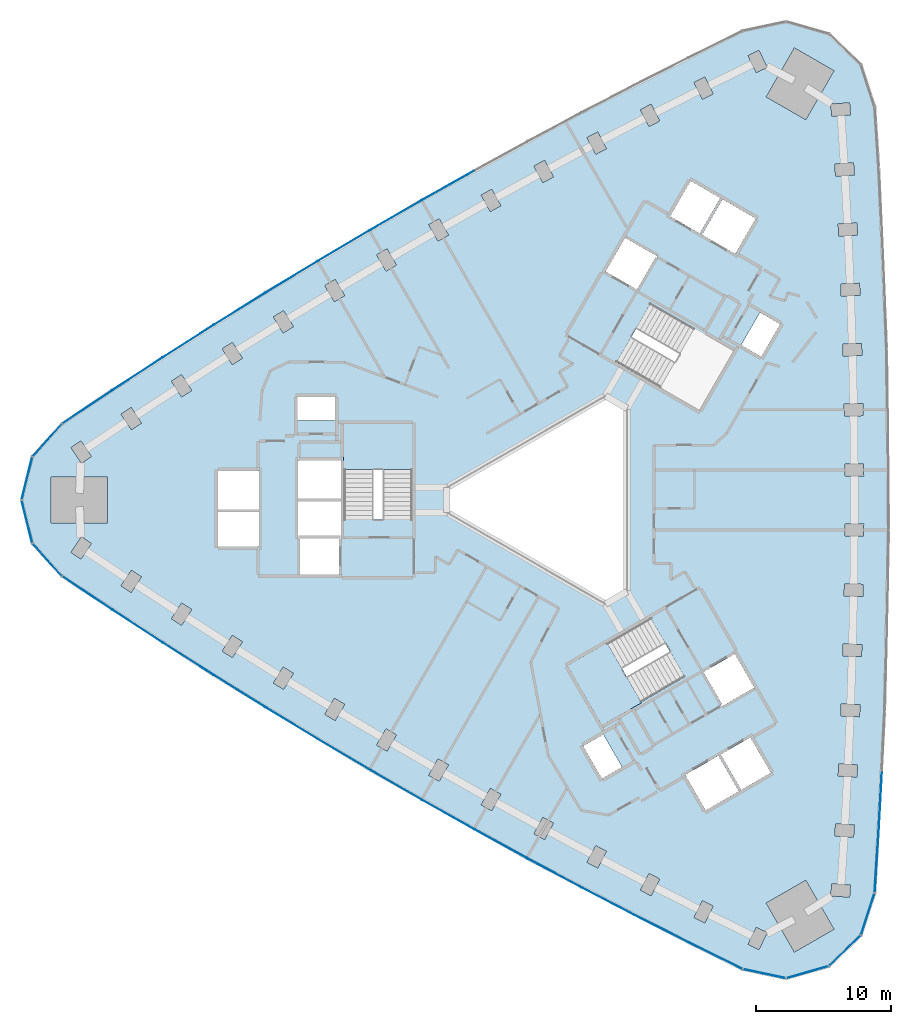
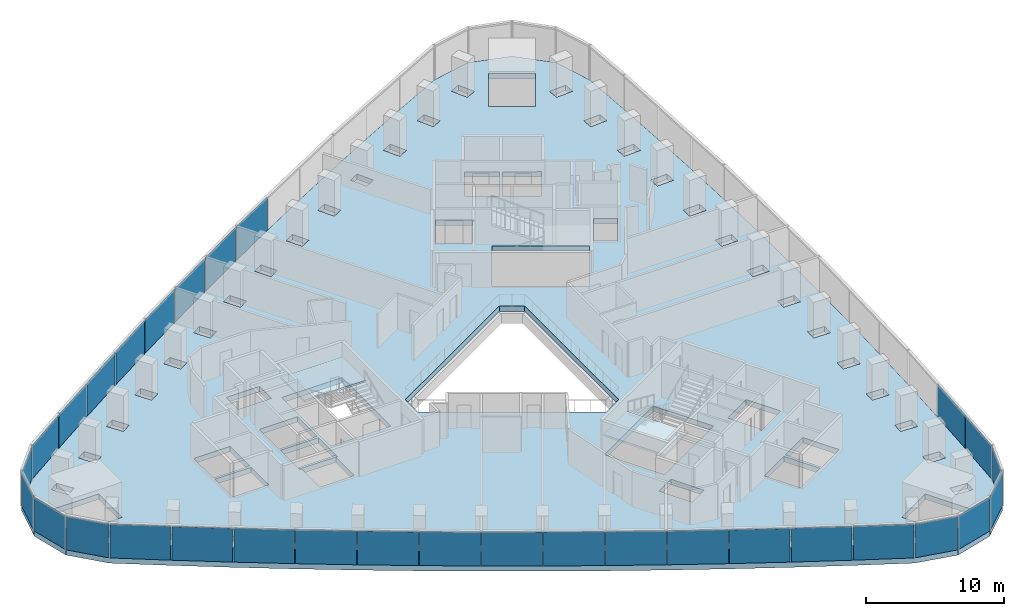
# One storey, part 7 of 13: 31 plates, 3 slabs, 5 elements without a shape of their own.
"""IFC4 building model written with IfcOpenShell, lengths in metres."""

from ifc_helpers import new_model, si_unit, direction, frame, origin, origin_2d, place, context, subcontext, project, spatial, polyline, rectangle, outline, extrude, material, layer, layer_set, type_object, element, aggregate, save


model = new_model("IFC4")

# Units and contexts
model_context = context("Model", 3, precision=1e-05, world=origin(), true_north=direction((0.0, 1.0)))
body_context = subcontext(model_context, "Body", "Model", "MODEL_VIEW")
ifc_project = project(units=[si_unit("LENGTHUNIT", "METRE"), si_unit("AREAUNIT", "SQUARE_METRE"), si_unit("VOLUMEUNIT", "CUBIC_METRE"), si_unit("PLANEANGLEUNIT", "RADIAN"), si_unit("MASSUNIT", "GRAM", prefix="KILO")], contexts=[model_context])

# Site, building, storey
site_placement = place(None, origin())
site = spatial("IfcSite", under=ifc_project, at=site_placement, CompositionType="ELEMENT")
building_placement = place(site_placement, origin())
building = spatial("IfcBuilding", under=site, at=building_placement, Name="Tamra Quay Hotel Tower", CompositionType="ELEMENT")
storey_placement = place(building_placement, frame((0.0, 0.0, 60.199951171875)))
storey = spatial("IfcBuildingStorey", under=building, at=storey_placement, Name="L13", CompositionType="ELEMENT", Elevation=60.199951171875)

# Stair, slab
ifc_material_1 = material(Name="Exit stair 2200 24 risers 150.0 going 342")
stair_type = type_object("IfcStairType", Name="Exit stair 2200 24 risers 150.0 going 342", PredefinedType="HALF_TURN_STAIR", material=ifc_material_1)
stair_1_placement = place(storey_placement, origin())
stair_1 = element("IfcStair", 1, at=stair_1_placement, inside=storey, type_object=stair_type, Name="L13 Exit stair ST3", PredefinedType="HALF_TURN_STAIR")
ifc_material_2 = material(Name="Concrete M70", Category="concrete")
ifc_layer_1 = layer(ifc_material_2, 0.175048828125)
ifc_layer_set_1 = layer_set([ifc_layer_1], Name="Concrete M70 stair landing 180")
slab_type_1 = type_object("IfcSlabType", Name="Concrete M70 stair landing 180", PredefinedType="LANDING", material=ifc_layer_set_1)
slab_1_placement = place(storey_placement, frame((0.0, 0.0, 1.625)))
slab_1 = element("IfcSlab", 2, at=slab_1_placement, type_object=slab_type_1, Name="ST3 landing 1", PredefinedType="LANDING", context=body_context, shape_type="SweptSolid", body=[
    extrude(outline(polyline([(-10.932373046875, 2.261962890625), (-10.932373046875, 5.679931640625), (-16.09130859375, 5.679931640625), (-16.09130859375, 2.261962890625), (-10.932373046875, 2.261962890625)])), origin(), (0.0, 0.0, 1.0), 0.175048828125),
])
aggregate(stair_1, [slab_1])

stair_2_placement = place(storey_placement, origin())
stair_2 = element("IfcStair", 3, at=stair_2_placement, inside=storey, type_object=stair_type, Name="L13 Exit stair ST2", PredefinedType="HALF_TURN_STAIR")
slab_2_placement = place(storey_placement, frame((0.0, 0.0, 1.625)))
slab_2 = element("IfcSlab", 4, at=slab_2_placement, type_object=slab_type_1, Name="ST2 landing 1", PredefinedType="LANDING", context=body_context, shape_type="SweptSolid", body=[
    extrude(outline(polyline([(3.50732421875, -10.5986328125), (0.547119140625, -12.3076171875), (3.126708984375, -16.775390625), (6.086669921875, -15.06640625), (3.50732421875, -10.5986328125)])), origin(), (0.0, 0.0, 1.0), 0.175048828125),
])
aggregate(stair_2, [slab_2])

# Slab
ifc_material_3 = material(Name="Concrete M60", Category="concrete")
ifc_layer_2 = layer(ifc_material_3, 0.47509765625)
ifc_layer_set_2 = layer_set([ifc_layer_2], Name="FLOOR SLAB PT 475")
slab_type_2 = type_object("IfcSlabType", Name="FLOOR SLAB PT 475", PredefinedType="FLOOR", material=ifc_layer_set_2)
slab_3_placement = place(storey_placement, frame((0.0, 0.0, -0.474853515625)))
element("IfcSlab", 5, at=slab_3_placement, inside=storey, type_object=slab_type_2, Name="SLAB-L13", PredefinedType="FLOOR", context=body_context, shape_type="SweptSolid", body=[
    extrude(outline(polyline([(23.699951171875, 24.723876953125), (23.943115234375, 20.231689453125), (24.137939453125, 15.738525390625), (24.283935546875, 11.24365234375), (24.38134765625, 6.74560546875), (24.43017578125, 2.248779296875), (24.43017578125, -2.248779296875), (24.38134765625, -6.74560546875), (24.283935546875, -11.24365234375), (24.137939453125, -15.738525390625), (23.943115234375, -20.231689453125), (23.699951171875, -24.723876953125), (23.40869140625, -29.210693359375), (22.386474609375, -32.356201171875), (20.00732421875, -34.65380859375), (16.828125, -35.5654296875), (13.593017578125, -34.877685546875), (9.5615234375, -32.88671875), (5.54931640625, -30.851318359375), (1.56103515625, -28.773193359375), (-2.40478515625, -26.65234375), (-6.3486328125, -24.48779296875), (-10.267578125, -22.281494140625), (-14.162353515625, -20.03271484375), (-18.03271484375, -17.741943359375), (-21.879150390625, -15.40869140625), (-25.698974609375, -13.034912109375), (-29.49267578125, -10.61962890625), (-33.261474609375, -8.162841796875), (-37.001708984375, -5.6669921875), (-39.214599609375, -3.208984375), (-40.0146484375, 0.0), (-39.214599609375, 3.208984375), (-37.001708984375, 5.6669921875), (-33.261474609375, 8.162841796875), (-29.49267578125, 10.61962890625), (-25.698974609375, 13.034912109375), (-21.879150390625, 15.40869140625), (-18.03271484375, 17.741943359375), (-14.162353515625, 20.03271484375), (-10.267578125, 22.281494140625), (-6.3486328125, 24.48779296875), (-2.40478515625, 26.65234375), (1.56103515625, 28.773193359375), (5.54931640625, 30.851318359375), (9.5615234375, 32.88671875), (13.593017578125, 34.877685546875), (16.828125, 35.5654296875), (20.00732421875, 34.65380859375), (22.386474609375, 32.356201171875), (23.40869140625, 29.210693359375), (23.699951171875, 24.723876953125)]), holes=[polyline([(-17.475830078125, -15.935791015625), (-16.70361328125, -16.39794921875), (-15.984375, -15.19677734375), (-16.756591796875, -14.734619140625), (-17.475830078125, -15.935791015625)]), polyline([(-20.56884765625, -12.416015625), (-21.3017578125, -13.60888671875), (-20.534912109375, -14.080078125), (-19.802001953125, -12.88720703125), (-20.56884765625, -12.416015625)]), polyline([(-24.357177734375, -10.05615234375), (-25.102294921875, -11.2412109375), (-24.340576171875, -11.72021484375), (-23.59521484375, -10.53515625), (-24.357177734375, -10.05615234375)]), polyline([(-28.11962890625, -7.6552734375), (-28.87744140625, -8.83251953125), (-28.12060546875, -9.319580078125), (-27.36279296875, -8.142578125), (-28.11962890625, -7.6552734375)]), polyline([(-31.854736328125, -5.21435546875), (-32.6259765625, -6.3828125), (-31.874755859375, -6.878662109375), (-31.103515625, -5.710205078125), (-31.854736328125, -5.21435546875)]), polyline([(-16.3173828125, -2.85498046875), (-19.4072265625, -2.85498046875), (-19.4072265625, -2.89306640625), (-19.307373046875, -2.89306640625), (-19.307373046875, -5.544921875), (-16.417236328125, -5.544921875), (-16.417236328125, -2.89306640625), (-16.3173828125, -2.89306640625), (-16.3173828125, -2.85498046875)]), polyline([(-35.565185546875, -2.73291015625), (-36.347900390625, -3.8935546875), (-35.601806640625, -4.396728515625), (-34.819091796875, -3.236083984375), (-35.565185546875, -2.73291015625)]), polyline([(-22.3671875, -3.445068359375), (-22.3671875, -0.905029296875), (-25.4072265625, -0.905029296875), (-25.4072265625, -3.445068359375), (-22.3671875, -3.445068359375)]), polyline([(-19.417236328125, -2.89306640625), (-19.417236328125, -2.64501953125), (-16.307373046875, -2.64501953125), (-16.307373046875, -2.89306640625), (-16.26708984375, -2.89306640625), (-16.26708984375, -0.10498046875), (-19.45751953125, -0.10498046875), (-19.45751953125, -2.89306640625), (-19.417236328125, -2.89306640625)]), polyline([(-33.62890625, 1.699951171875), (-37.828857421875, 1.699951171875), (-37.828857421875, -1.699951171875), (-33.62890625, -1.699951171875), (-33.62890625, 1.699951171875)]), polyline([(-25.4072265625, -0.695068359375), (-22.3671875, -0.695068359375), (-22.3671875, 2.14501953125), (-25.4072265625, 2.14501953125), (-25.4072265625, -0.695068359375)]), polyline([(-19.45751953125, 0.10498046875), (-16.26708984375, 0.10498046875), (-16.26708984375, 2.945068359375), (-19.45751953125, 2.945068359375), (-19.45751953125, 0.10498046875)]), polyline([(-16.036376953125, -1.455078125), (-10.9873046875, -1.455078125), (-10.9873046875, 5.625), (-16.036376953125, 5.625), (-16.036376953125, -1.455078125)]), polyline([(-34.819091796875, 3.236083984375), (-35.601806640625, 4.396728515625), (-36.347900390625, 3.8935546875), (-35.565185546875, 2.73291015625), (-34.819091796875, 3.236083984375)]), polyline([(-31.103515625, 5.710205078125), (-31.874755859375, 6.878662109375), (-32.6259765625, 6.3828125), (-31.854736328125, 5.21435546875), (-31.103515625, 5.710205078125)]), polyline([(-16.71728515625, 7.64501953125), (-19.50732421875, 7.64501953125), (-19.50732421875, 5.9150390625), (-16.71728515625, 5.9150390625), (-16.71728515625, 7.64501953125)]), polyline([(-27.36279296875, 8.142578125), (-28.12060546875, 9.319580078125), (-28.87744140625, 8.83251953125), (-28.11962890625, 7.6552734375), (-27.36279296875, 8.142578125)]), polyline([(-23.59521484375, 10.53515625), (-24.340576171875, 11.72021484375), (-25.102294921875, 11.2412109375), (-24.357177734375, 10.05615234375), (-23.59521484375, 10.53515625)]), polyline([(-19.802001953125, 12.88720703125), (-20.534912109375, 14.080078125), (-21.3017578125, 13.60888671875), (-20.56884765625, 12.416015625), (-19.802001953125, 12.88720703125)]), polyline([(-15.984375, 15.19677734375), (-16.70361328125, 16.39794921875), (-17.475830078125, 15.935791015625), (-16.756591796875, 14.734619140625), (-15.984375, 15.19677734375)]), polyline([(-12.141357421875, 17.466064453125), (-12.84765625, 18.6748046875), (-13.624755859375, 18.220703125), (-12.918212890625, 17.011962890625), (-12.141357421875, 17.466064453125)]), polyline([(10.606689453125, -29.79150390625), (9.980224609375, -31.04345703125), (10.78515625, -31.4462890625), (11.41162109375, -30.194091796875), (10.606689453125, -29.79150390625)]), polyline([(6.6298828125, -27.76806640625), (5.9892578125, -29.012939453125), (6.78955078125, -29.4248046875), (7.43017578125, -28.179931640625), (6.6298828125, -27.76806640625)]), polyline([(2.673828125, -25.70166015625), (2.02001953125, -26.939697265625), (2.81591796875, -27.35986328125), (3.4697265625, -26.121826171875), (2.673828125, -25.70166015625)]), polyline([(-1.259521484375, -23.5927734375), (-1.92626953125, -24.82373046875), (-1.134765625, -25.252197265625), (-0.46826171875, -24.021240234375), (-1.259521484375, -23.5927734375)]), polyline([(-5.168701171875, -21.44140625), (-5.849365234375, -22.664794921875), (-5.06298828125, -23.102294921875), (-4.382080078125, -21.87890625), (-5.168701171875, -21.44140625)]), polyline([(13.3056640625, -21.65576171875), (11.78564453125, -19.02294921875), (9.325927734375, -20.443115234375), (10.845947265625, -23.075927734375), (13.3056640625, -21.65576171875)]), polyline([(-9.055419921875, -19.247802734375), (-9.7490234375, -20.4638671875), (-8.96728515625, -20.90966796875), (-8.273681640625, -19.693603515625), (-9.055419921875, -19.247802734375)]), polyline([(1.73779296875, -18.300048828125), (3.1328125, -20.71630859375), (4.631103515625, -19.851318359375), (3.236083984375, -17.43505859375), (1.73779296875, -18.300048828125)]), polyline([(-12.918212890625, -17.011962890625), (-13.624755859375, -18.220703125), (-12.84765625, -18.6748046875), (-12.141357421875, -17.466064453125), (-12.918212890625, -17.011962890625)]), polyline([(10.68115234375, -12.790283203125), (12.05615234375, -15.171875), (11.969482421875, -15.2216796875), (12.03955078125, -15.343017578125), (14.455810546875, -13.947998046875), (13.0107421875, -11.4453125), (10.68115234375, -12.790283203125)]), polyline([(9.2783203125, -13.160400390625), (6.75390625, -8.78759765625), (0.622314453125, -12.32763671875), (3.146728515625, -16.7001953125), (9.2783203125, -13.160400390625)]), polyline([(3.39990234375, 7.736572265625), (-8.39990234375, 0.923828125), (-8.39990234375, -0.923828125), (3.39990234375, -7.736572265625), (5.0, -6.812744140625), (5.0, 6.812744140625), (3.39990234375, 7.736572265625)]), polyline([(6.758056640625, 14.615478515625), (4.2333984375, 10.242919921875), (10.364990234375, 6.702880859375), (12.889404296875, 11.075439453125), (6.758056640625, 14.615478515625)]), polyline([(5.736083984375, 15.645263671875), (7.111083984375, 18.02685546875), (7.19775390625, 17.976806640625), (7.267578125, 18.09814453125), (4.8515625, 19.4931640625), (3.406494140625, 16.990234375), (5.736083984375, 15.645263671875)]), polyline([(-8.273681640625, 19.693603515625), (-8.96728515625, 20.90966796875), (-9.7490234375, 20.4638671875), (-9.055419921875, 19.247802734375), (-8.273681640625, 19.693603515625)]), polyline([(8.2001953125, 21.093017578125), (10.39990234375, 19.822998046875), (11.919921875, 22.455810546875), (9.72021484375, 23.725830078125), (8.2001953125, 21.093017578125)]), polyline([(-4.382080078125, 21.87890625), (-5.06298828125, 23.102294921875), (-5.849365234375, 22.664794921875), (-5.168701171875, 21.44140625), (-4.382080078125, 21.87890625)]), polyline([(-0.46826171875, 24.021240234375), (-1.134765625, 25.252197265625), (-1.92626953125, 24.82373046875), (-1.259521484375, 23.5927734375), (-0.46826171875, 24.021240234375)]), polyline([(3.4697265625, 26.121826171875), (2.81591796875, 27.35986328125), (2.02001953125, 26.939697265625), (2.673828125, 25.70166015625), (3.4697265625, 26.121826171875)]), polyline([(7.43017578125, 28.179931640625), (6.78955078125, 29.4248046875), (5.9892578125, 29.012939453125), (6.6298828125, 27.76806640625), (7.43017578125, 28.179931640625)]), polyline([(11.41162109375, 30.194091796875), (10.78515625, 31.4462890625), (9.980224609375, 31.04345703125), (10.606689453125, 29.79150390625), (11.41162109375, 30.194091796875)]), polyline([(14.60693359375, -31.772216796875), (13.993408203125, -33.030517578125), (14.80224609375, -33.425048828125), (15.416015625, -32.166748046875), (14.60693359375, -31.772216796875)]), polyline([(15.34228515625, -29.973388671875), (17.442138671875, -33.61083984375), (20.38671875, -31.910888671875), (18.28662109375, -28.2734375), (15.34228515625, -29.973388671875)]), polyline([(20.1494140625, -29.43408203125), (21.5458984375, -29.53173828125), (21.608642578125, -28.6337890625), (20.212158203125, -28.5361328125), (20.1494140625, -29.43408203125)]), polyline([(20.443115234375, -24.979736328125), (21.840576171875, -25.0634765625), (21.894287109375, -24.1650390625), (20.496826171875, -24.081298828125), (20.443115234375, -24.979736328125)]), polyline([(20.689453125, -20.524658203125), (22.087890625, -20.59228515625), (22.13134765625, -19.693359375), (20.73291015625, -19.625732421875), (20.689453125, -20.524658203125)]), polyline([(14.1669921875, -17.648193359375), (11.96728515625, -18.91796875), (13.487548828125, -21.55078125), (15.68701171875, -20.281005859375), (14.1669921875, -17.648193359375)]), polyline([(20.887451171875, -16.06591796875), (22.286376953125, -16.11865234375), (22.3203125, -15.219482421875), (20.92138671875, -15.16650390625), (20.887451171875, -16.06591796875)]), polyline([(21.037109375, -11.60498046875), (22.4365234375, -11.643310546875), (22.461181640625, -10.74365234375), (21.0615234375, -10.70556640625), (21.037109375, -11.60498046875)]), polyline([(21.138916015625, -7.144287109375), (22.538818359375, -7.16650390625), (22.552978515625, -6.2666015625), (21.153076171875, -6.244384765625), (21.138916015625, -7.144287109375)]), polyline([(21.19189453125, -2.681640625), (22.591796875, -2.68896484375), (22.5966796875, -1.7890625), (21.19677734375, -1.781494140625), (21.19189453125, -2.681640625)]), polyline([(21.19677734375, 1.781494140625), (22.5966796875, 1.7890625), (22.591796875, 2.68896484375), (21.19189453125, 2.681640625), (21.19677734375, 1.781494140625)]), polyline([(21.153076171875, 6.244384765625), (22.552978515625, 6.2666015625), (22.538818359375, 7.16650390625), (21.138916015625, 7.144287109375), (21.153076171875, 6.244384765625)]), polyline([(21.0615234375, 10.70556640625), (22.461181640625, 10.74365234375), (22.4365234375, 11.643310546875), (21.037109375, 11.60498046875), (21.0615234375, 10.70556640625)]), polyline([(14.9794921875, 10.655029296875), (16.37451171875, 13.0712890625), (14.876220703125, 13.936279296875), (13.481201171875, 11.52001953125), (14.9794921875, 10.655029296875)]), polyline([(20.92138671875, 15.16650390625), (22.3203125, 15.219482421875), (22.286376953125, 16.11865234375), (20.887451171875, 16.06591796875), (20.92138671875, 15.16650390625)]), polyline([(20.73291015625, 19.625732421875), (22.13134765625, 19.693359375), (22.087890625, 20.59228515625), (20.689453125, 20.524658203125), (20.73291015625, 19.625732421875)]), polyline([(12.101806640625, 22.350830078125), (10.58154296875, 19.718017578125), (13.041259765625, 18.298095703125), (14.561279296875, 20.930908203125), (12.101806640625, 22.350830078125)]), polyline([(20.496826171875, 24.081298828125), (21.894287109375, 24.1650390625), (21.840576171875, 25.0634765625), (20.443115234375, 24.979736328125), (20.496826171875, 24.081298828125)]), polyline([(20.212158203125, 28.5361328125), (21.608642578125, 28.6337890625), (21.5458984375, 29.53173828125), (20.1494140625, 29.43408203125), (20.212158203125, 28.5361328125)]), polyline([(18.28662109375, 28.2734375), (20.38671875, 31.910888671875), (17.442138671875, 33.61083984375), (15.34228515625, 29.973388671875), (18.28662109375, 28.2734375)]), polyline([(15.416015625, 32.166748046875), (14.80224609375, 33.425048828125), (13.993408203125, 33.030517578125), (14.60693359375, 31.772216796875), (15.416015625, 32.166748046875)])]), origin(), (0.0, 0.0, 1.0), 0.474853515625),
])

# Curtain wall, plates
ifc_material_4 = material(Name="Aluminium 6063 anodised dark grey", Category="aluminium")
curtain_wall_type_1 = type_object("IfcCurtainWallType", Name="CW1 CURTAIN WALL", PredefinedType="NOTDEFINED", material=ifc_material_4)
curtain_wall_1_placement = place(storey_placement, origin())
curtain_wall_1 = element("IfcCurtainWall", 6, at=curtain_wall_1_placement, inside=storey, type_object=curtain_wall_type_1, Name="CW1 east face L13", PredefinedType="NOTDEFINED")
ifc_material_5 = material(Name="Glass clear laminated low-iron", Category="glass")
ifc_layer_3 = layer(ifc_material_5, 0.035888671875)
ifc_layer_set_3 = layer_set([ifc_layer_3], Name="GLASS PANEL CW1 Z1")
plate_type_1 = type_object("IfcPlateType", Name="GLASS PANEL CW1 Z1", PredefinedType="CURTAIN_PANEL", material=ifc_layer_set_3)
plate_1_placement = place(storey_placement, frame((23.55419921875, -26.96728515625, 0.0), z_axis=(0.0, 0.0, 1.0), x_axis=(0.064813097616, 0.997897420769, 0.0)))
plate_1 = element("IfcPlate", 7, at=plate_1_placement, type_object=plate_type_1, Name="CW1 glass L13.E.1", PredefinedType="CURTAIN_PANEL", context=body_context, shape_type="SweptSolid", body=[
    extrude(rectangle(XDim=4.396484375, YDim=0.035888671875, at=origin_2d()), origin(), (0.0, 0.0, 1.0), 2.985107421875),
])
plate_2_placement = place(storey_placement, frame((23.821533203125, -22.477783203125, 0.0), z_axis=(0.0, 0.0, 1.0), x_axis=(0.054062119595, 0.998537574268, 0.0)))
plate_2 = element("IfcPlate", 8, at=plate_2_placement, type_object=plate_type_1, Name="CW1 glass L13.E.2", PredefinedType="CURTAIN_PANEL", context=body_context, shape_type="SweptSolid", body=[
    extrude(rectangle(XDim=4.39892578125, YDim=0.035888671875, at=origin_2d()), origin(), (0.0, 0.0, 1.0), 2.985107421875),
])
aggregate(curtain_wall_1, [plate_1, plate_2])

curtain_wall_type_2 = type_object("IfcCurtainWallType", Name="CW2 CURTAIN WALL", PredefinedType="NOTDEFINED", material=ifc_material_4)
curtain_wall_2_placement = place(storey_placement, origin())
curtain_wall_2 = element("IfcCurtainWall", 9, at=curtain_wall_2_placement, inside=storey, type_object=curtain_wall_type_2, Name="CW2 north-west face L13", PredefinedType="NOTDEFINED")
ifc_layer_4 = layer(ifc_material_5, 0.035888671875)
ifc_layer_set_4 = layer_set([ifc_layer_4], Name="GLASS PANEL CW2 Z1")
plate_type_2 = type_object("IfcPlateType", Name="GLASS PANEL CW2 Z1", PredefinedType="CURTAIN_PANEL", material=ifc_layer_set_4)
plate_3_placement = place(storey_placement, frame((-8.30810546875, 23.384521484375, 0.0), z_axis=(0.0, 0.0, 1.0), x_axis=(-0.871392472945, -0.490586544959, 0.0)))
plate_3 = element("IfcPlate", 10, at=plate_3_placement, type_object=plate_type_2, Name="CW2 glass L13.NW.6", PredefinedType="CURTAIN_PANEL", context=body_context, shape_type="SweptSolid", body=[
    extrude(rectangle(XDim=4.397216796875, YDim=0.035888671875, at=origin_2d()), origin(), (0.0, 0.0, 1.0), 2.985107421875),
])
plate_4_placement = place(storey_placement, frame((-12.215087890625, 21.156982421875, 0.0), z_axis=(0.0, 0.0, 1.0), x_axis=(-0.866025403784, -0.5, 0.0)))
plate_4 = element("IfcPlate", 11, at=plate_4_placement, type_object=plate_type_2, Name="CW2 glass L13.NW.7", PredefinedType="CURTAIN_PANEL", context=body_context, shape_type="SweptSolid", body=[
    extrude(rectangle(XDim=4.397216796875, YDim=0.035888671875, at=origin_2d()), origin(), (0.0, 0.0, 1.0), 2.985107421875),
])
plate_5_placement = place(storey_placement, frame((-16.09765625, 18.887451171875, 0.0), z_axis=(0.0, 0.0, 1.0), x_axis=(-0.860556647162, -0.509354745757, 0.0)))
plate_5 = element("IfcPlate", 12, at=plate_5_placement, type_object=plate_type_2, Name="CW2 glass L13.NW.8", PredefinedType="CURTAIN_PANEL", context=body_context, shape_type="SweptSolid", body=[
    extrude(rectangle(XDim=4.397216796875, YDim=0.035888671875, at=origin_2d()), origin(), (0.0, 0.0, 1.0), 2.985107421875),
])
plate_6_placement = place(storey_placement, frame((-19.955810546875, 16.575439453125, 0.0), z_axis=(0.0, 0.0, 1.0), x_axis=(-0.85499355735, -0.51863861878, 0.0)))
plate_6 = element("IfcPlate", 13, at=plate_6_placement, type_object=plate_type_2, Name="CW2 glass L13.NW.9", PredefinedType="CURTAIN_PANEL", context=body_context, shape_type="SweptSolid", body=[
    extrude(rectangle(XDim=4.39892578125, YDim=0.035888671875, at=origin_2d()), origin(), (0.0, 0.0, 1.0), 2.985107421875),
])
plate_7_placement = place(storey_placement, frame((-23.7890625, 14.2216796875, 0.0), z_axis=(0.0, 0.0, 1.0), x_axis=(-0.849331223164, -0.527860278254, 0.0)))
plate_7 = element("IfcPlate", 14, at=plate_7_placement, type_object=plate_type_2, Name="CW2 glass L13.NW.10", PredefinedType="CURTAIN_PANEL", context=body_context, shape_type="SweptSolid", body=[
    extrude(rectangle(XDim=4.397216796875, YDim=0.035888671875, at=origin_2d()), origin(), (0.0, 0.0, 1.0), 2.985107421875),
])
plate_8_placement = place(storey_placement, frame((-27.595703125, 11.8271484375, 0.0), z_axis=(0.0, 0.0, 1.0), x_axis=(-0.84357098627, -0.537017682319, 0.0)))
plate_8 = element("IfcPlate", 15, at=plate_8_placement, type_object=plate_type_2, Name="CW2 glass L13.NW.11", PredefinedType="CURTAIN_PANEL", context=body_context, shape_type="SweptSolid", body=[
    extrude(rectangle(XDim=4.397216796875, YDim=0.035888671875, at=origin_2d()), origin(), (0.0, 0.0, 1.0), 2.985107421875),
])
plate_9_placement = place(storey_placement, frame((-31.376953125, 9.391357421875, 0.0), z_axis=(0.0, 0.0, 1.0), x_axis=(-0.837727846152, -0.546087956086, 0.0)))
plate_9 = element("IfcPlate", 16, at=plate_9_placement, type_object=plate_type_2, Name="CW2 glass L13.NW.12", PredefinedType="CURTAIN_PANEL", context=body_context, shape_type="SweptSolid", body=[
    extrude(rectangle(XDim=4.39892578125, YDim=0.035888671875, at=origin_2d()), origin(), (0.0, 0.0, 1.0), 2.985107421875),
])
plate_10_placement = place(storey_placement, frame((-35.131591796875, 6.9150390625, 0.0), z_axis=(0.0, 0.0, 1.0), x_axis=(-0.831797967949, -0.555078499418, 0.0)))
plate_10 = element("IfcPlate", 17, at=plate_10_placement, type_object=plate_type_2, Name="CW2 glass L13.NW.13", PredefinedType="CURTAIN_PANEL", context=body_context, shape_type="SweptSolid", body=[
    extrude(rectangle(XDim=4.396484375, YDim=0.035888671875, at=origin_2d()), origin(), (0.0, 0.0, 1.0), 2.985107421875),
])
plate_11_placement = place(storey_placement, frame((-38.108154296875, 4.43798828125, 0.0), z_axis=(0.0, 0.0, 1.0), x_axis=(-0.669112198553, -0.743161399527, 0.0)))
plate_11 = element("IfcPlate", 18, at=plate_11_placement, type_object=plate_type_2, Name="CW2 glass L13.NW.14", PredefinedType="CURTAIN_PANEL", context=body_context, shape_type="SweptSolid", body=[
    extrude(rectangle(XDim=3.207275390625, YDim=0.035888671875, at=origin_2d()), origin(), (0.0, 0.0, 1.0), 2.985107421875),
])
plate_12_placement = place(storey_placement, frame((-39.61474609375, 1.6044921875, 0.0), z_axis=(0.0, 0.0, 1.0), x_axis=(-0.241913884219, -0.970297723702, 0.0)))
plate_12 = element("IfcPlate", 19, at=plate_12_placement, type_object=plate_type_2, Name="CW2 glass L13.NW.15", PredefinedType="CURTAIN_PANEL", context=body_context, shape_type="SweptSolid", body=[
    extrude(rectangle(XDim=3.207275390625, YDim=0.035888671875, at=origin_2d()), origin(), (0.0, 0.0, 1.0), 2.985107421875),
])
plate_13_placement = place(storey_placement, frame((-39.61474609375, -1.6044921875, 0.0), z_axis=(0.0, 0.0, 1.0), x_axis=(0.24191388422, -0.970297723702, 0.0)))
plate_13 = element("IfcPlate", 20, at=plate_13_placement, type_object=plate_type_2, Name="CW2 glass L13.NW.16", PredefinedType="CURTAIN_PANEL", context=body_context, shape_type="SweptSolid", body=[
    extrude(rectangle(XDim=3.207275390625, YDim=0.035888671875, at=origin_2d()), origin(), (0.0, 0.0, 1.0), 2.985107421875),
])
plate_14_placement = place(storey_placement, frame((-38.108154296875, -4.43798828125, 0.0), z_axis=(0.0, 0.0, 1.0), x_axis=(0.669112198553, -0.743161399527, 0.0)))
plate_14 = element("IfcPlate", 21, at=plate_14_placement, type_object=plate_type_2, Name="CW2 glass L13.NW.17", PredefinedType="CURTAIN_PANEL", context=body_context, shape_type="SweptSolid", body=[
    extrude(rectangle(XDim=3.207275390625, YDim=0.035888671875, at=origin_2d()), origin(), (0.0, 0.0, 1.0), 2.985107421875),
])
aggregate(curtain_wall_2, [plate_3, plate_4, plate_5, plate_6, plate_7, plate_8, plate_9, plate_10, plate_11, plate_12, plate_13, plate_14])

curtain_wall_type_3 = type_object("IfcCurtainWallType", Name="CW3 CURTAIN WALL", PredefinedType="NOTDEFINED", material=ifc_material_4)
curtain_wall_3_placement = place(storey_placement, origin())
curtain_wall_3 = element("IfcCurtainWall", 22, at=curtain_wall_3_placement, inside=storey, type_object=curtain_wall_type_3, Name="CW3 south-west face L13", PredefinedType="NOTDEFINED")
ifc_layer_5 = layer(ifc_material_5, 0.035888671875)
ifc_layer_set_5 = layer_set([ifc_layer_5], Name="GLASS PANEL CW3 Z1")
plate_type_3 = type_object("IfcPlateType", Name="GLASS PANEL CW3 Z1", PredefinedType="CURTAIN_PANEL", material=ifc_layer_set_5)
plate_15_placement = place(storey_placement, frame((-35.131591796875, -6.9150390625, 0.0), z_axis=(0.0, 0.0, 1.0), x_axis=(0.831797967949, -0.555078499418, 0.0)))
plate_15 = element("IfcPlate", 23, at=plate_15_placement, type_object=plate_type_3, Name="CW3 glass L13.SW.1", PredefinedType="CURTAIN_PANEL", context=body_context, shape_type="SweptSolid", body=[
    extrude(rectangle(XDim=4.396484375, YDim=0.035888671875, at=origin_2d()), origin(), (0.0, 0.0, 1.0), 2.985107421875),
])
plate_16_placement = place(storey_placement, frame((-31.376953125, -9.391357421875, 0.0), z_axis=(0.0, 0.0, 1.0), x_axis=(0.837727846152, -0.546087956086, 0.0)))
plate_16 = element("IfcPlate", 24, at=plate_16_placement, type_object=plate_type_3, Name="CW3 glass L13.SW.2", PredefinedType="CURTAIN_PANEL", context=body_context, shape_type="SweptSolid", body=[
    extrude(rectangle(XDim=4.39892578125, YDim=0.035888671875, at=origin_2d()), origin(), (0.0, 0.0, 1.0), 2.985107421875),
])
plate_17_placement = place(storey_placement, frame((-27.595703125, -11.8271484375, 0.0), z_axis=(0.0, 0.0, 1.0), x_axis=(0.84357098627, -0.537017682319, 0.0)))
plate_17 = element("IfcPlate", 25, at=plate_17_placement, type_object=plate_type_3, Name="CW3 glass L13.SW.3", PredefinedType="CURTAIN_PANEL", context=body_context, shape_type="SweptSolid", body=[
    extrude(rectangle(XDim=4.397216796875, YDim=0.035888671875, at=origin_2d()), origin(), (0.0, 0.0, 1.0), 2.985107421875),
])
plate_18_placement = place(storey_placement, frame((-23.7890625, -14.2216796875, 0.0), z_axis=(0.0, 0.0, 1.0), x_axis=(0.849331223164, -0.527860278254, 0.0)))
plate_18 = element("IfcPlate", 26, at=plate_18_placement, type_object=plate_type_3, Name="CW3 glass L13.SW.4", PredefinedType="CURTAIN_PANEL", context=body_context, shape_type="SweptSolid", body=[
    extrude(rectangle(XDim=4.397216796875, YDim=0.035888671875, at=origin_2d()), origin(), (0.0, 0.0, 1.0), 2.985107421875),
])
plate_19_placement = place(storey_placement, frame((-19.955810546875, -16.575439453125, 0.0), z_axis=(0.0, 0.0, 1.0), x_axis=(0.85499355735, -0.51863861878, 0.0)))
plate_19 = element("IfcPlate", 27, at=plate_19_placement, type_object=plate_type_3, Name="CW3 glass L13.SW.5", PredefinedType="CURTAIN_PANEL", context=body_context, shape_type="SweptSolid", body=[
    extrude(rectangle(XDim=4.39892578125, YDim=0.035888671875, at=origin_2d()), origin(), (0.0, 0.0, 1.0), 2.985107421875),
])
plate_20_placement = place(storey_placement, frame((-16.09765625, -18.887451171875, 0.0), z_axis=(0.0, 0.0, 1.0), x_axis=(0.860556647162, -0.509354745757, 0.0)))
plate_20 = element("IfcPlate", 28, at=plate_20_placement, type_object=plate_type_3, Name="CW3 glass L13.SW.6", PredefinedType="CURTAIN_PANEL", context=body_context, shape_type="SweptSolid", body=[
    extrude(rectangle(XDim=4.397216796875, YDim=0.035888671875, at=origin_2d()), origin(), (0.0, 0.0, 1.0), 2.985107421875),
])
plate_21_placement = place(storey_placement, frame((-12.215087890625, -21.156982421875, 0.0), z_axis=(0.0, 0.0, 1.0), x_axis=(0.866025403784, -0.5, 0.0)))
plate_21 = element("IfcPlate", 29, at=plate_21_placement, type_object=plate_type_3, Name="CW3 glass L13.SW.7", PredefinedType="CURTAIN_PANEL", context=body_context, shape_type="SweptSolid", body=[
    extrude(rectangle(XDim=4.397216796875, YDim=0.035888671875, at=origin_2d()), origin(), (0.0, 0.0, 1.0), 2.985107421875),
])
plate_22_placement = place(storey_placement, frame((-8.30810546875, -23.384521484375, 0.0), z_axis=(0.0, 0.0, 1.0), x_axis=(0.871392472945, -0.490586544959, 0.0)))
plate_22 = element("IfcPlate", 30, at=plate_22_placement, type_object=plate_type_3, Name="CW3 glass L13.SW.8", PredefinedType="CURTAIN_PANEL", context=body_context, shape_type="SweptSolid", body=[
    extrude(rectangle(XDim=4.397216796875, YDim=0.035888671875, at=origin_2d()), origin(), (0.0, 0.0, 1.0), 2.985107421875),
])
plate_23_placement = place(storey_placement, frame((-4.376708984375, -25.570068359375, 0.0), z_axis=(0.0, 0.0, 1.0), x_axis=(0.876650997922, -0.481126831347, 0.0)))
plate_23 = element("IfcPlate", 31, at=plate_23_placement, type_object=plate_type_3, Name="CW3 glass L13.SW.9", PredefinedType="CURTAIN_PANEL", context=body_context, shape_type="SweptSolid", body=[
    extrude(rectangle(XDim=4.39892578125, YDim=0.035888671875, at=origin_2d()), origin(), (0.0, 0.0, 1.0), 2.985107421875),
])
plate_24_placement = place(storey_placement, frame((-0.421875, -27.712890625, 0.0), z_axis=(0.0, 0.0, 1.0), x_axis=(0.881806022199, -0.47161227636, 0.0)))
plate_24 = element("IfcPlate", 32, at=plate_24_placement, type_object=plate_type_3, Name="CW3 glass L13.SW.10", PredefinedType="CURTAIN_PANEL", context=body_context, shape_type="SweptSolid", body=[
    extrude(rectangle(XDim=4.397216796875, YDim=0.035888671875, at=origin_2d()), origin(), (0.0, 0.0, 1.0), 2.985107421875),
])
plate_25_placement = place(storey_placement, frame((3.55517578125, -29.812255859375, 0.0), z_axis=(0.0, 0.0, 1.0), x_axis=(0.886856448305, -0.462045062846, 0.0)))
plate_25 = element("IfcPlate", 33, at=plate_25_placement, type_object=plate_type_3, Name="CW3 glass L13.SW.11", PredefinedType="CURTAIN_PANEL", context=body_context, shape_type="SweptSolid", body=[
    extrude(rectangle(XDim=4.397216796875, YDim=0.035888671875, at=origin_2d()), origin(), (0.0, 0.0, 1.0), 2.985107421875),
])
plate_26_placement = place(storey_placement, frame((7.555419921875, -31.868896484375, 0.0), z_axis=(0.0, 0.0, 1.0), x_axis=(0.891789965747, -0.452449618182, 0.0)))
plate_26 = element("IfcPlate", 34, at=plate_26_placement, type_object=plate_type_3, Name="CW3 glass L13.SW.12", PredefinedType="CURTAIN_PANEL", context=body_context, shape_type="SweptSolid", body=[
    extrude(rectangle(XDim=4.39892578125, YDim=0.035888671875, at=origin_2d()), origin(), (0.0, 0.0, 1.0), 2.985107421875),
])
plate_27_placement = place(storey_placement, frame((11.5771484375, -33.88232421875, 0.0), z_axis=(0.0, 0.0, 1.0), x_axis=(0.896611065565, -0.442818921351, 0.0)))
plate_27 = element("IfcPlate", 35, at=plate_27_placement, type_object=plate_type_3, Name="CW3 glass L13.SW.13", PredefinedType="CURTAIN_PANEL", context=body_context, shape_type="SweptSolid", body=[
    extrude(rectangle(XDim=4.396484375, YDim=0.035888671875, at=origin_2d()), origin(), (0.0, 0.0, 1.0), 2.985107421875),
])
plate_28_placement = place(storey_placement, frame((15.210693359375, -35.2216796875, 0.0), z_axis=(0.0, 0.0, 1.0), x_axis=(0.978152750379, -0.207887462165, 0.0)))
plate_28 = element("IfcPlate", 36, at=plate_28_placement, type_object=plate_type_3, Name="CW3 glass L13.SW.14", PredefinedType="CURTAIN_PANEL", context=body_context, shape_type="SweptSolid", body=[
    extrude(rectangle(XDim=3.207275390625, YDim=0.035888671875, at=origin_2d()), origin(), (0.0, 0.0, 1.0), 2.985107421875),
])
plate_29_placement = place(storey_placement, frame((18.417724609375, -35.109619140625, 0.0), z_axis=(0.0, 0.0, 1.0), x_axis=(0.96125942007, 0.275645292589, 0.0)))
plate_29 = element("IfcPlate", 37, at=plate_29_placement, type_object=plate_type_3, Name="CW3 glass L13.SW.15", PredefinedType="CURTAIN_PANEL", context=body_context, shape_type="SweptSolid", body=[
    extrude(rectangle(XDim=3.207275390625, YDim=0.035888671875, at=origin_2d()), origin(), (0.0, 0.0, 1.0), 2.985107421875),
])
plate_30_placement = place(storey_placement, frame((21.197021484375, -33.5048828125, 0.0), z_axis=(0.0, 0.0, 1.0), x_axis=(0.719345535851, 0.694652431113, 0.0)))
plate_30 = element("IfcPlate", 38, at=plate_30_placement, type_object=plate_type_3, Name="CW3 glass L13.SW.16", PredefinedType="CURTAIN_PANEL", context=body_context, shape_type="SweptSolid", body=[
    extrude(rectangle(XDim=3.207275390625, YDim=0.035888671875, at=origin_2d()), origin(), (0.0, 0.0, 1.0), 2.985107421875),
])
plate_31_placement = place(storey_placement, frame((22.8974609375, -30.783447265625, 0.0), z_axis=(0.0, 0.0, 1.0), x_axis=(0.309040551826, 0.951048861693, 0.0)))
plate_31 = element("IfcPlate", 39, at=plate_31_placement, type_object=plate_type_3, Name="CW3 glass L13.SW.17", PredefinedType="CURTAIN_PANEL", context=body_context, shape_type="SweptSolid", body=[
    extrude(rectangle(XDim=3.207275390625, YDim=0.035888671875, at=origin_2d()), origin(), (0.0, 0.0, 1.0), 2.985107421875),
])
aggregate(curtain_wall_3, [plate_15, plate_16, plate_17, plate_18, plate_19, plate_20, plate_21, plate_22, plate_23, plate_24, plate_25, plate_26, plate_27, plate_28, plate_29, plate_30, plate_31])

save(model, "model.ifc")
